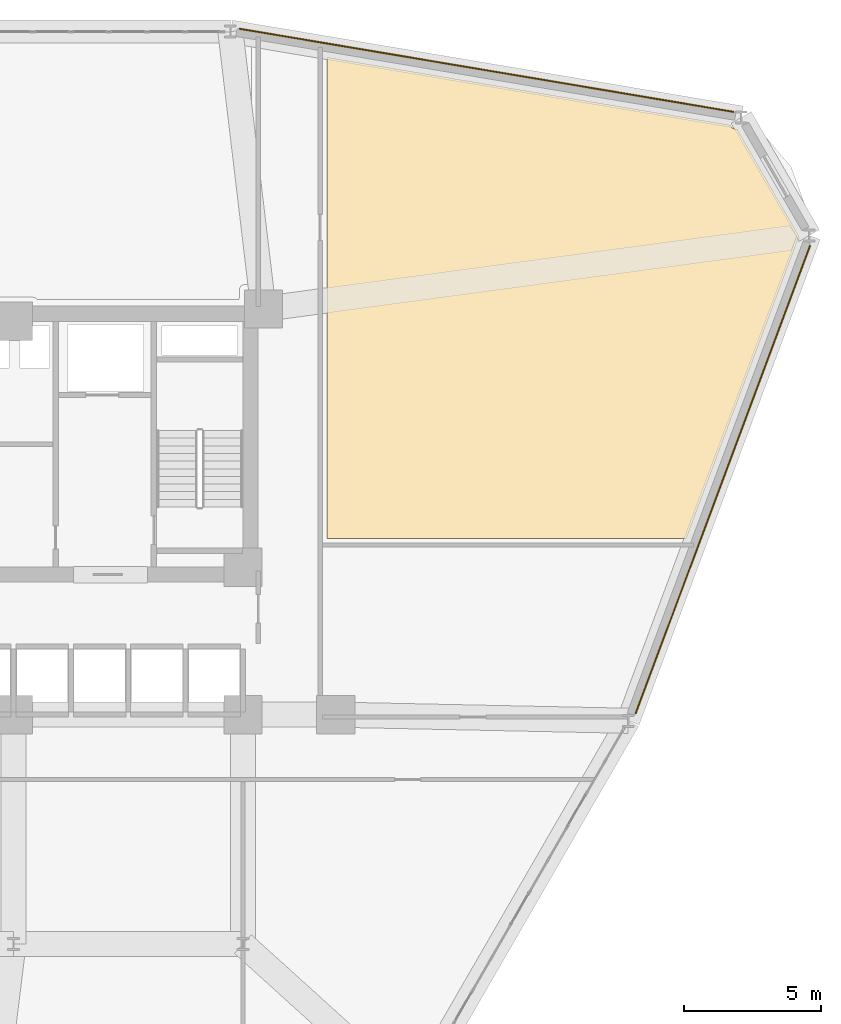
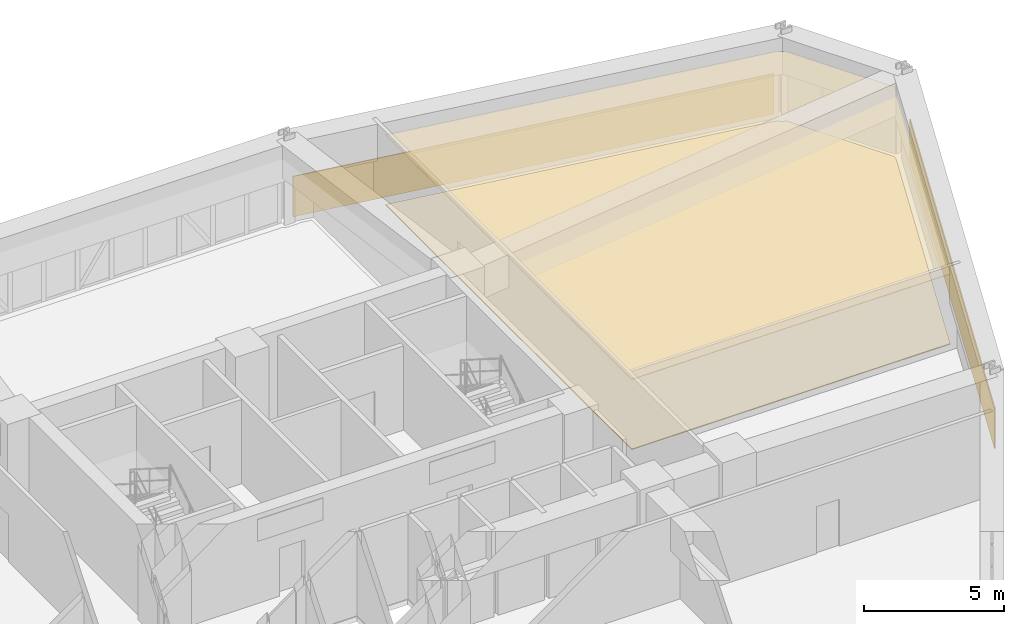
# One storey, part 20 of 20: 4 coverings.
"""IFC4 building model written with IfcOpenShell, lengths in metres."""

from ifc_helpers import new_model, si_unit, derived_unit, direction, frame, origin, place, context, subcontext, project, spatial, polyline, outline, extrude, material, layer, layer_set, type_object, element, save


model = new_model("IFC4")

# Units and contexts
model_context = context("Model", 3, precision=1e-05, world=origin(), true_north=direction((0.0, 1.0)))
body_context = subcontext(model_context, "Body", "Model", "MODEL_VIEW")
ifc_project = project(units=[si_unit("LENGTHUNIT", "METRE"), si_unit("AREAUNIT", "SQUARE_METRE"), si_unit("VOLUMEUNIT", "CUBIC_METRE"), si_unit("PLANEANGLEUNIT", "RADIAN"), si_unit("MASSUNIT", "GRAM", prefix="KILO"), derived_unit("THERMALTRANSMITTANCEUNIT", [(si_unit("POWERUNIT", "WATT"), 1), (si_unit("LENGTHUNIT", "METRE"), -2), (si_unit("THERMODYNAMICTEMPERATUREUNIT", "KELVIN"), -1)])], contexts=[model_context])

# Site, building, storey
site_placement = place(None, origin())
site = spatial("IfcSite", under=ifc_project, at=site_placement, CompositionType="ELEMENT")
building_placement = place(site_placement, origin())
building = spatial("IfcBuilding", under=site, at=building_placement, Name="Korsvarv Bourse and Concert Hall", CompositionType="ELEMENT")
storey_placement = place(building_placement, frame((0.0, 0.0, 39.60009765625)))
storey = spatial("IfcBuildingStorey", under=building, at=storey_placement, Name="L09", CompositionType="ELEMENT", Elevation=39.60009765625)

# Coverings
ifc_material_1 = material(Name="Perforated mineral-wool and birch acoustic baffle ceiling", Category="wood")
ifc_layer_1 = layer(ifc_material_1, 0.02490234375)
ifc_layer_set_1 = layer_set([ifc_layer_1], Name="Perforated mineral-wool and birch acoustic baffle ceiling")
covering_type_1 = type_object("IfcCoveringType", Name="COV-CEIL-1", PredefinedType="CEILING", material=ifc_layer_set_1)
covering_1_placement = place(storey_placement, frame((0.0, 0.0, 3.059814453125)))
element("IfcCovering", 1, at=covering_1_placement, inside=storey, type_object=covering_type_1, Name="L09 acoustic baffle ceiling 1", PredefinedType="CEILING", context=body_context, shape_type="SweptSolid", body=[
    extrude(outline(polyline([(47.47998046875, 56.461669921875), (62.239990234375, 53.9794921875), (62.24951171875, 53.94970703125), (62.26708984375, 53.91796875), (62.290771484375, 53.890380859375), (62.3193359375, 53.867919921875), (62.351806640625, 53.851806640625), (62.386962890625, 53.842529296875), (62.48779296875, 53.836181640625), (64.727783203125, 49.9560546875), (64.727783203125, 49.834716796875), (60.630859375, 38.85009765625), (47.47998046875, 38.85009765625), (47.47998046875, 56.461669921875)])), origin(), (0.0, 0.0, 1.0), 0.025146484375),
])
ifc_material_2 = material(Name="Warm iron-oxide extruded terracotta rainscreen tile", Category="ceramic")
ifc_layer_2 = layer(ifc_material_2, 0.044921875)
ifc_layer_set_2 = layer_set([ifc_layer_2], Name="Warm iron-oxide extruded terracotta rainscreen tile")
covering_type_2 = type_object("IfcCoveringType", Name="COV-CLD-TC", PredefinedType="CLADDING", material=ifc_layer_set_2)
covering_2_placement = place(storey_placement, origin())
element("IfcCovering", 2, at=covering_2_placement, inside=storey, type_object=covering_type_2, Name="L09 fluted terracotta cladding panel EW-L09-B02", PredefinedType="CLADDING", context=body_context, shape_type="SweptSolid", body=[
    extrude(outline(polyline([(62.363525390625, 54.440185546875), (44.259521484375, 57.48486328125), (44.266845703125, 57.529296875), (62.37109375, 54.484619140625), (62.363525390625, 54.440185546875)])), origin(), (0.0, 0.0, 1.0), 1.760009765625),
])
covering_3_placement = place(storey_placement, origin())
element("IfcCovering", 3, at=covering_3_placement, inside=storey, type_object=covering_type_2, Name="L09 fluted terracotta cladding panel EW-L09-B12", PredefinedType="CLADDING", context=body_context, shape_type="SweptSolid", body=[
    extrude(outline(polyline([(58.74951171875, 32.4462890625), (65.13818359375, 49.57568359375), (65.180419921875, 49.559814453125), (58.791748046875, 32.430419921875), (58.74951171875, 32.4462890625)])), origin(), (0.0, 0.0, 1.0), 1.760009765625),
])
ifc_material_3 = material(Name="Calcium-sulphate raised access trading floor with Nordic oak top", Category="wood")
ifc_layer_3 = layer(ifc_material_3, 0.0400390625)
ifc_layer_set_3 = layer_set([ifc_layer_3], Name="Calcium-sulphate raised access trading floor with Nordic oak top")
covering_type_3 = type_object("IfcCoveringType", Name="COV-FLOR-1", PredefinedType="FLOORING", material=ifc_layer_set_3)
covering_4_placement = place(storey_placement, origin())
element("IfcCovering", 4, at=covering_4_placement, inside=storey, type_object=covering_type_3, Name="L09 raised access oak floor finish 1", PredefinedType="FLOORING", context=body_context, shape_type="SweptSolid", body=[
    extrude(outline(polyline([(47.47998046875, 56.461669921875), (62.239990234375, 53.9794921875), (62.24951171875, 53.94970703125), (62.26708984375, 53.91796875), (62.290771484375, 53.890380859375), (62.3193359375, 53.867919921875), (62.351806640625, 53.851806640625), (62.386962890625, 53.842529296875), (62.48779296875, 53.836181640625), (64.727783203125, 49.9560546875), (64.727783203125, 49.834716796875), (60.630859375, 38.85009765625), (47.47998046875, 38.85009765625), (47.47998046875, 56.461669921875)])), origin(), (0.0, 0.0, 1.0), 0.039794921875),
])

save(model, "model.ifc")
